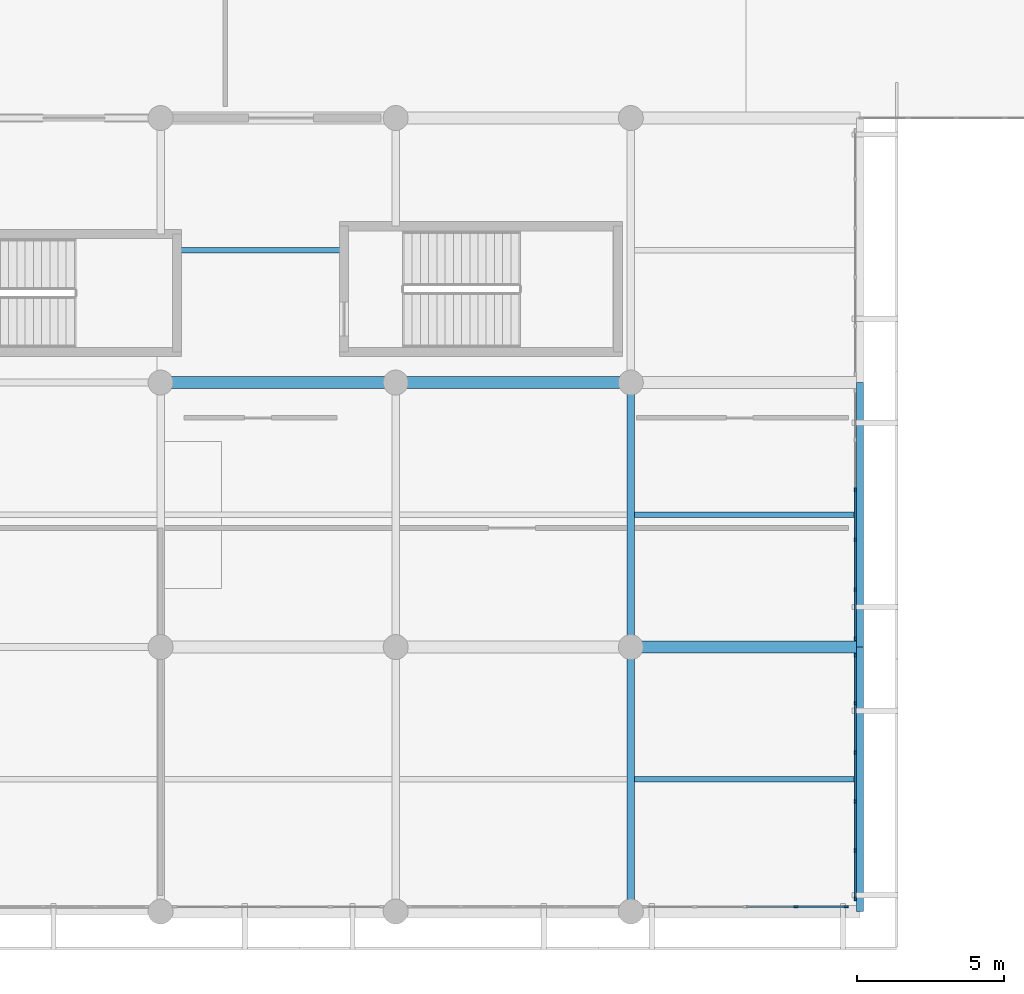
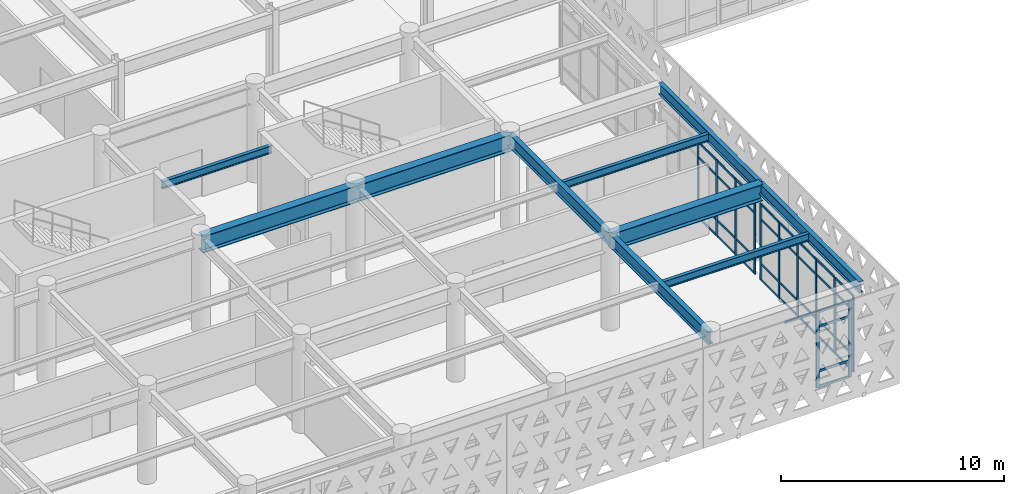
# One storey, part 24 of 84: 49 members, 9 beams, 3 elements without a shape of their own.
"""IFC4 building model written with IfcOpenShell, lengths in metres."""

from ifc_helpers import new_model, si_unit, direction, frame, origin, origin_2d, place, context, subcontext, project, spatial, rectangle, i_section, extrude, material, layer, layer_set, material_profile, profile_set, type_object, element, aggregate, save


model = new_model("IFC4")

# Units and contexts
model_context = context("Model", 3, precision=1e-05, world=origin(), true_north=direction((0.0, 1.0)))
body_context = subcontext(model_context, "Body", "Model", "MODEL_VIEW")
ifc_project = project(units=[si_unit("LENGTHUNIT", "METRE"), si_unit("AREAUNIT", "SQUARE_METRE"), si_unit("VOLUMEUNIT", "CUBIC_METRE"), si_unit("PLANEANGLEUNIT", "RADIAN"), si_unit("MASSUNIT", "GRAM", prefix="KILO")], contexts=[model_context])

# Site, building, storey
site_placement = place(None, origin())
site = spatial("IfcSite", under=ifc_project, at=site_placement, CompositionType="ELEMENT")
building_placement = place(site_placement, origin())
building = spatial("IfcBuilding", under=site, at=building_placement, Name="Tlacozan Convention Centre", CompositionType="ELEMENT")
storey_placement = place(building_placement, frame((0.0, 0.0, 6.0)))
storey = spatial("IfcBuildingStorey", under=building, at=storey_placement, Name="L01", CompositionType="ELEMENT", Elevation=6.0)

# Beam
ifc_material_1 = material(Name="Steel ASTM A992 Grade 50", Category="steel")
ifc_material_profile_1 = material_profile(ifc_material_1, i_section(OverallWidth=0.41796875, OverallDepth=0.912109375, WebThickness=0.019287109375, FlangeThickness=0.031982421875, FilletRadius=0.02001953125, at=origin_2d()), Name="IR 914x342.0")
ifc_profile_set_1 = profile_set([ifc_material_profile_1], Name="Steel ASTM A992 Grade 50")
beam_type_1 = type_object("IfcBeamType", Name="Cantilever Girder IR 914x342", PredefinedType="BEAM", material=ifc_profile_set_1)
beam_1_placement = place(storey_placement, frame((112.0, 9.0, 4.68408203125), z_axis=(1.0, 0.0, 0.0), x_axis=(0.0, 1.0, 0.0)))
element("IfcBeam", 1, at=beam_1_placement, inside=storey, type_object=beam_type_1, Name="L01 Cantilever Girder IR 914x342 318", PredefinedType="BEAM", context=body_context, shape_type="SweptSolid", body=[
    extrude(i_section(OverallWidth=0.41796875, OverallDepth=0.912109375, WebThickness=0.019287109375, FlangeThickness=0.031982421875, FilletRadius=0.02001953125, at=origin_2d()), origin(), (0.0, 0.0, 1.0), 7.800048828125),
])

# Curtain wall, members
ifc_material_2 = material(Name="Dark Bronze Anodised Aluminium", Category="aluminium")
ifc_layer_1 = layer(ifc_material_2, 0.159912109375)
ifc_layer_set_1 = layer_set([ifc_layer_1], Name="Dark Bronze Anodised Aluminium")
curtain_wall_type_1 = type_object("IfcCurtainWallType", Name="Unitised Congress Gable End CW06", PredefinedType="NOTDEFINED", material=ifc_layer_set_1)
curtain_wall_1_placement = place(storey_placement, origin())
curtain_wall_1 = element("IfcCurtainWall", 2, at=curtain_wall_1_placement, inside=storey, type_object=curtain_wall_type_1, Name="L01 CW-06 Run 73", PredefinedType="NOTDEFINED")
ifc_material_profile_2 = material_profile(ifc_material_2, rectangle(XDim=0.06005859375, YDim=0.139892578125, at=origin_2d()), Name="ALU 60x140")
ifc_profile_set_2 = profile_set([ifc_material_profile_2], Name="Dark Bronze Anodised Aluminium")
member_type_1 = type_object("IfcMemberType", Name="Curtain Wall Light Mullion 60x140", PredefinedType="MULLION", material=ifc_profile_set_2)
member_1_placement = place(storey_placement, frame((119.639892578125, 0.43994140625, 0.0), z_axis=(0.0, 0.0, 1.0), x_axis=(-1.0, 0.0, 0.0)))
member_1 = element("IfcMember", 3, at=member_1_placement, type_object=member_type_1, Name="CW-06 mullion 1", PredefinedType="MULLION", context=body_context, shape_type="SweptSolid", body=[
    extrude(rectangle(XDim=0.06005859375, YDim=0.139892578125, at=origin_2d()), origin(), (0.0, 0.0, 1.0), 4.179931640625),
])
member_2_placement = place(storey_placement, frame((119.639892578125, 2.077880859375, 0.0), z_axis=(0.0, 0.0, 1.0), x_axis=(-1.0, 0.0, 0.0)))
member_2 = element("IfcMember", 4, at=member_2_placement, type_object=member_type_1, Name="CW-06 mullion 2", PredefinedType="MULLION", context=body_context, shape_type="SweptSolid", body=[
    extrude(rectangle(XDim=0.06005859375, YDim=0.139892578125, at=origin_2d()), origin(), (0.0, 0.0, 1.0), 4.179931640625),
])
member_3_placement = place(storey_placement, frame((119.639892578125, 3.74609375, 0.0), z_axis=(0.0, 0.0, 1.0), x_axis=(-1.0, 0.0, 0.0)))
member_3 = element("IfcMember", 5, at=member_3_placement, type_object=member_type_1, Name="CW-06 mullion 3", PredefinedType="MULLION", context=body_context, shape_type="SweptSolid", body=[
    extrude(rectangle(XDim=0.06005859375, YDim=0.139892578125, at=origin_2d()), origin(), (0.0, 0.0, 1.0), 4.179931640625),
])
member_4_placement = place(storey_placement, frame((119.639892578125, 5.4140625, 0.0), z_axis=(0.0, 0.0, 1.0), x_axis=(-1.0, 0.0, 0.0)))
member_4 = element("IfcMember", 6, at=member_4_placement, type_object=member_type_1, Name="CW-06 mullion 4", PredefinedType="MULLION", context=body_context, shape_type="SweptSolid", body=[
    extrude(rectangle(XDim=0.06005859375, YDim=0.139892578125, at=origin_2d()), origin(), (0.0, 0.0, 1.0), 4.179931640625),
])
member_5_placement = place(storey_placement, frame((119.639892578125, 7.08203125, 0.0), z_axis=(0.0, 0.0, 1.0), x_axis=(-1.0, 0.0, 0.0)))
member_5 = element("IfcMember", 7, at=member_5_placement, type_object=member_type_1, Name="CW-06 mullion 5", PredefinedType="MULLION", context=body_context, shape_type="SweptSolid", body=[
    extrude(rectangle(XDim=0.06005859375, YDim=0.139892578125, at=origin_2d()), origin(), (0.0, 0.0, 1.0), 4.179931640625),
])
member_6_placement = place(storey_placement, frame((119.639892578125, 8.719970703125, 0.0), z_axis=(0.0, 0.0, 1.0), x_axis=(-1.0, 0.0, 0.0)))
member_6 = element("IfcMember", 8, at=member_6_placement, type_object=member_type_1, Name="CW-06 mullion 6", PredefinedType="MULLION", context=body_context, shape_type="SweptSolid", body=[
    extrude(rectangle(XDim=0.06005859375, YDim=0.139892578125, at=origin_2d()), origin(), (0.0, 0.0, 1.0), 4.179931640625),
])

curtain_wall_2_placement = place(storey_placement, origin())
curtain_wall_2 = element("IfcCurtainWall", 9, at=curtain_wall_2_placement, inside=storey, type_object=curtain_wall_type_1, Name="L01 CW-06 Run 75", PredefinedType="NOTDEFINED")
member_7_placement = place(storey_placement, frame((119.639892578125, 9.280029296875, 0.0), z_axis=(0.0, 0.0, 1.0), x_axis=(-1.0, 0.0, 0.0)))
member_7 = element("IfcMember", 10, at=member_7_placement, type_object=member_type_1, Name="CW-06 mullion 1", PredefinedType="MULLION", context=body_context, shape_type="SweptSolid", body=[
    extrude(rectangle(XDim=0.06005859375, YDim=0.139892578125, at=origin_2d()), origin(), (0.0, 0.0, 1.0), 4.179931640625),
])
member_8_placement = place(storey_placement, frame((119.639892578125, 10.949951171875, 0.0), z_axis=(0.0, 0.0, 1.0), x_axis=(-1.0, 0.0, 0.0)))
member_8 = element("IfcMember", 11, at=member_8_placement, type_object=member_type_1, Name="CW-06 mullion 2", PredefinedType="MULLION", context=body_context, shape_type="SweptSolid", body=[
    extrude(rectangle(XDim=0.06005859375, YDim=0.139892578125, at=origin_2d()), origin(), (0.0, 0.0, 1.0), 4.179931640625),
])
member_9_placement = place(storey_placement, frame((119.639892578125, 12.64990234375, 0.0), z_axis=(0.0, 0.0, 1.0), x_axis=(-1.0, 0.0, 0.0)))
member_9 = element("IfcMember", 12, at=member_9_placement, type_object=member_type_1, Name="CW-06 mullion 3", PredefinedType="MULLION", context=body_context, shape_type="SweptSolid", body=[
    extrude(rectangle(XDim=0.06005859375, YDim=0.139892578125, at=origin_2d()), origin(), (0.0, 0.0, 1.0), 4.179931640625),
])
member_10_placement = place(storey_placement, frame((119.639892578125, 14.35009765625, 0.0), z_axis=(0.0, 0.0, 1.0), x_axis=(-1.0, 0.0, 0.0)))
member_10 = element("IfcMember", 13, at=member_10_placement, type_object=member_type_1, Name="CW-06 mullion 4", PredefinedType="MULLION", context=body_context, shape_type="SweptSolid", body=[
    extrude(rectangle(XDim=0.06005859375, YDim=0.139892578125, at=origin_2d()), origin(), (0.0, 0.0, 1.0), 4.179931640625),
])

# Member
ifc_material_profile_3 = material_profile(ifc_material_2, rectangle(XDim=0.06005859375, YDim=0.110107421875, at=origin_2d()), Name="ALU 60x110")
ifc_profile_set_3 = profile_set([ifc_material_profile_3], Name="Dark Bronze Anodised Aluminium")
member_type_2 = type_object("IfcMemberType", Name="Curtain Wall Light Transom 60x110", PredefinedType="USERDEFINED", material=ifc_profile_set_3)
member_11_placement = place(storey_placement, frame((119.639892578125, 0.469970703125, 0.030029296875), z_axis=(0.0, 1.0, 0.0), x_axis=(-1.0, 0.0, 0.0)))
member_11 = element("IfcMember", 14, at=member_11_placement, type_object=member_type_2, Name="CW-06 transom 1.1", ObjectType="TRANSOM", PredefinedType="USERDEFINED", context=body_context, shape_type="SweptSolid", body=[
    extrude(rectangle(XDim=0.06005859375, YDim=0.110107421875, at=origin_2d()), origin(), (0.0, 0.0, 1.0), 1.578125),
])

member_12_placement = place(storey_placement, frame((119.639892578125, 0.469970703125, 0.89990234375), z_axis=(0.0, 1.0, 0.0), x_axis=(-1.0, 0.0, 0.0)))
member_12 = element("IfcMember", 15, at=member_12_placement, type_object=member_type_2, Name="CW-06 transom 1.2", ObjectType="TRANSOM", PredefinedType="USERDEFINED", context=body_context, shape_type="SweptSolid", body=[
    extrude(rectangle(XDim=0.06005859375, YDim=0.110107421875, at=origin_2d()), origin(), (0.0, 0.0, 1.0), 1.578125),
])

member_13_placement = place(storey_placement, frame((119.639892578125, 0.469970703125, 3.330078125), z_axis=(0.0, 1.0, 0.0), x_axis=(-1.0, 0.0, 0.0)))
member_13 = element("IfcMember", 16, at=member_13_placement, type_object=member_type_2, Name="CW-06 transom 1.3", ObjectType="TRANSOM", PredefinedType="USERDEFINED", context=body_context, shape_type="SweptSolid", body=[
    extrude(rectangle(XDim=0.06005859375, YDim=0.110107421875, at=origin_2d()), origin(), (0.0, 0.0, 1.0), 1.578125),
])

member_14_placement = place(storey_placement, frame((119.639892578125, 0.469970703125, 4.14990234375), z_axis=(0.0, 1.0, 0.0), x_axis=(-1.0, 0.0, 0.0)))
member_14 = element("IfcMember", 17, at=member_14_placement, type_object=member_type_2, Name="CW-06 transom 1.4", ObjectType="TRANSOM", PredefinedType="USERDEFINED", context=body_context, shape_type="SweptSolid", body=[
    extrude(rectangle(XDim=0.06005859375, YDim=0.110107421875, at=origin_2d()), origin(), (0.0, 0.0, 1.0), 1.578125),
])

member_15_placement = place(storey_placement, frame((119.639892578125, 2.10791015625, 0.030029296875), z_axis=(0.0, 1.0, 0.0), x_axis=(-1.0, 0.0, 0.0)))
member_15 = element("IfcMember", 18, at=member_15_placement, type_object=member_type_2, Name="CW-06 transom 2.1", ObjectType="TRANSOM", PredefinedType="USERDEFINED", context=body_context, shape_type="SweptSolid", body=[
    extrude(rectangle(XDim=0.06005859375, YDim=0.110107421875, at=origin_2d()), origin(), (0.0, 0.0, 1.0), 1.608154296875),
])

member_16_placement = place(storey_placement, frame((119.639892578125, 2.10791015625, 0.89990234375), z_axis=(0.0, 1.0, 0.0), x_axis=(-1.0, 0.0, 0.0)))
member_16 = element("IfcMember", 19, at=member_16_placement, type_object=member_type_2, Name="CW-06 transom 2.2", ObjectType="TRANSOM", PredefinedType="USERDEFINED", context=body_context, shape_type="SweptSolid", body=[
    extrude(rectangle(XDim=0.06005859375, YDim=0.110107421875, at=origin_2d()), origin(), (0.0, 0.0, 1.0), 1.608154296875),
])

member_17_placement = place(storey_placement, frame((119.639892578125, 2.10791015625, 3.330078125), z_axis=(0.0, 1.0, 0.0), x_axis=(-1.0, 0.0, 0.0)))
member_17 = element("IfcMember", 20, at=member_17_placement, type_object=member_type_2, Name="CW-06 transom 2.3", ObjectType="TRANSOM", PredefinedType="USERDEFINED", context=body_context, shape_type="SweptSolid", body=[
    extrude(rectangle(XDim=0.06005859375, YDim=0.110107421875, at=origin_2d()), origin(), (0.0, 0.0, 1.0), 1.608154296875),
])

member_18_placement = place(storey_placement, frame((119.639892578125, 2.10791015625, 4.14990234375), z_axis=(0.0, 1.0, 0.0), x_axis=(-1.0, 0.0, 0.0)))
member_18 = element("IfcMember", 21, at=member_18_placement, type_object=member_type_2, Name="CW-06 transom 2.4", ObjectType="TRANSOM", PredefinedType="USERDEFINED", context=body_context, shape_type="SweptSolid", body=[
    extrude(rectangle(XDim=0.06005859375, YDim=0.110107421875, at=origin_2d()), origin(), (0.0, 0.0, 1.0), 1.608154296875),
])

member_19_placement = place(storey_placement, frame((119.639892578125, 3.77587890625, 0.030029296875), z_axis=(0.0, 1.0, 0.0), x_axis=(-1.0, 0.0, 0.0)))
member_19 = element("IfcMember", 22, at=member_19_placement, type_object=member_type_2, Name="CW-06 transom 3.1", ObjectType="TRANSOM", PredefinedType="USERDEFINED", context=body_context, shape_type="SweptSolid", body=[
    extrude(rectangle(XDim=0.06005859375, YDim=0.110107421875, at=origin_2d()), origin(), (0.0, 0.0, 1.0), 1.608154296875),
])

member_20_placement = place(storey_placement, frame((119.639892578125, 3.77587890625, 0.89990234375), z_axis=(0.0, 1.0, 0.0), x_axis=(-1.0, 0.0, 0.0)))
member_20 = element("IfcMember", 23, at=member_20_placement, type_object=member_type_2, Name="CW-06 transom 3.2", ObjectType="TRANSOM", PredefinedType="USERDEFINED", context=body_context, shape_type="SweptSolid", body=[
    extrude(rectangle(XDim=0.06005859375, YDim=0.110107421875, at=origin_2d()), origin(), (0.0, 0.0, 1.0), 1.608154296875),
])

member_21_placement = place(storey_placement, frame((119.639892578125, 3.77587890625, 3.330078125), z_axis=(0.0, 1.0, 0.0), x_axis=(-1.0, 0.0, 0.0)))
member_21 = element("IfcMember", 24, at=member_21_placement, type_object=member_type_2, Name="CW-06 transom 3.3", ObjectType="TRANSOM", PredefinedType="USERDEFINED", context=body_context, shape_type="SweptSolid", body=[
    extrude(rectangle(XDim=0.06005859375, YDim=0.110107421875, at=origin_2d()), origin(), (0.0, 0.0, 1.0), 1.608154296875),
])

member_22_placement = place(storey_placement, frame((119.639892578125, 3.77587890625, 4.14990234375), z_axis=(0.0, 1.0, 0.0), x_axis=(-1.0, 0.0, 0.0)))
member_22 = element("IfcMember", 25, at=member_22_placement, type_object=member_type_2, Name="CW-06 transom 3.4", ObjectType="TRANSOM", PredefinedType="USERDEFINED", context=body_context, shape_type="SweptSolid", body=[
    extrude(rectangle(XDim=0.06005859375, YDim=0.110107421875, at=origin_2d()), origin(), (0.0, 0.0, 1.0), 1.608154296875),
])

member_23_placement = place(storey_placement, frame((119.639892578125, 5.444091796875, 0.030029296875), z_axis=(0.0, 1.0, 0.0), x_axis=(-1.0, 0.0, 0.0)))
member_23 = element("IfcMember", 26, at=member_23_placement, type_object=member_type_2, Name="CW-06 transom 4.1", ObjectType="TRANSOM", PredefinedType="USERDEFINED", context=body_context, shape_type="SweptSolid", body=[
    extrude(rectangle(XDim=0.06005859375, YDim=0.110107421875, at=origin_2d()), origin(), (0.0, 0.0, 1.0), 1.60791015625),
])

member_24_placement = place(storey_placement, frame((119.639892578125, 5.444091796875, 0.89990234375), z_axis=(0.0, 1.0, 0.0), x_axis=(-1.0, 0.0, 0.0)))
member_24 = element("IfcMember", 27, at=member_24_placement, type_object=member_type_2, Name="CW-06 transom 4.2", ObjectType="TRANSOM", PredefinedType="USERDEFINED", context=body_context, shape_type="SweptSolid", body=[
    extrude(rectangle(XDim=0.06005859375, YDim=0.110107421875, at=origin_2d()), origin(), (0.0, 0.0, 1.0), 1.60791015625),
])

member_25_placement = place(storey_placement, frame((119.639892578125, 5.444091796875, 3.330078125), z_axis=(0.0, 1.0, 0.0), x_axis=(-1.0, 0.0, 0.0)))
member_25 = element("IfcMember", 28, at=member_25_placement, type_object=member_type_2, Name="CW-06 transom 4.3", ObjectType="TRANSOM", PredefinedType="USERDEFINED", context=body_context, shape_type="SweptSolid", body=[
    extrude(rectangle(XDim=0.06005859375, YDim=0.110107421875, at=origin_2d()), origin(), (0.0, 0.0, 1.0), 1.60791015625),
])

member_26_placement = place(storey_placement, frame((119.639892578125, 5.444091796875, 4.14990234375), z_axis=(0.0, 1.0, 0.0), x_axis=(-1.0, 0.0, 0.0)))
member_26 = element("IfcMember", 29, at=member_26_placement, type_object=member_type_2, Name="CW-06 transom 4.4", ObjectType="TRANSOM", PredefinedType="USERDEFINED", context=body_context, shape_type="SweptSolid", body=[
    extrude(rectangle(XDim=0.06005859375, YDim=0.110107421875, at=origin_2d()), origin(), (0.0, 0.0, 1.0), 1.60791015625),
])

member_27_placement = place(storey_placement, frame((119.639892578125, 7.112060546875, 0.030029296875), z_axis=(0.0, 1.0, 0.0), x_axis=(-1.0, 0.0, 0.0)))
member_27 = element("IfcMember", 30, at=member_27_placement, type_object=member_type_2, Name="CW-06 transom 5.1", ObjectType="TRANSOM", PredefinedType="USERDEFINED", context=body_context, shape_type="SweptSolid", body=[
    extrude(rectangle(XDim=0.06005859375, YDim=0.110107421875, at=origin_2d()), origin(), (0.0, 0.0, 1.0), 1.577880859375),
])

member_28_placement = place(storey_placement, frame((119.639892578125, 7.112060546875, 0.89990234375), z_axis=(0.0, 1.0, 0.0), x_axis=(-1.0, 0.0, 0.0)))
member_28 = element("IfcMember", 31, at=member_28_placement, type_object=member_type_2, Name="CW-06 transom 5.2", ObjectType="TRANSOM", PredefinedType="USERDEFINED", context=body_context, shape_type="SweptSolid", body=[
    extrude(rectangle(XDim=0.06005859375, YDim=0.110107421875, at=origin_2d()), origin(), (0.0, 0.0, 1.0), 1.577880859375),
])

member_29_placement = place(storey_placement, frame((119.639892578125, 7.112060546875, 3.330078125), z_axis=(0.0, 1.0, 0.0), x_axis=(-1.0, 0.0, 0.0)))
member_29 = element("IfcMember", 32, at=member_29_placement, type_object=member_type_2, Name="CW-06 transom 5.3", ObjectType="TRANSOM", PredefinedType="USERDEFINED", context=body_context, shape_type="SweptSolid", body=[
    extrude(rectangle(XDim=0.06005859375, YDim=0.110107421875, at=origin_2d()), origin(), (0.0, 0.0, 1.0), 1.577880859375),
])

member_30_placement = place(storey_placement, frame((119.639892578125, 7.112060546875, 4.14990234375), z_axis=(0.0, 1.0, 0.0), x_axis=(-1.0, 0.0, 0.0)))
member_30 = element("IfcMember", 33, at=member_30_placement, type_object=member_type_2, Name="CW-06 transom 5.4", ObjectType="TRANSOM", PredefinedType="USERDEFINED", context=body_context, shape_type="SweptSolid", body=[
    extrude(rectangle(XDim=0.06005859375, YDim=0.110107421875, at=origin_2d()), origin(), (0.0, 0.0, 1.0), 1.577880859375),
])

aggregate(curtain_wall_1, [member_1, member_2, member_3, member_4, member_5, member_6, member_11, member_12, member_13, member_14, member_15, member_16, member_17, member_18, member_19, member_20, member_21, member_22, member_23, member_24, member_25, member_26, member_27, member_28, member_29, member_30])

member_31_placement = place(storey_placement, frame((119.639892578125, 9.31005859375, 0.030029296875), z_axis=(0.0, 1.0, 0.0), x_axis=(-1.0, 0.0, 0.0)))
member_31 = element("IfcMember", 34, at=member_31_placement, type_object=member_type_2, Name="CW-06 transom 1.1", ObjectType="TRANSOM", PredefinedType="USERDEFINED", context=body_context, shape_type="SweptSolid", body=[
    extrude(rectangle(XDim=0.06005859375, YDim=0.110107421875, at=origin_2d()), origin(), (0.0, 0.0, 1.0), 1.60986328125),
])

member_32_placement = place(storey_placement, frame((119.639892578125, 9.31005859375, 0.89990234375), z_axis=(0.0, 1.0, 0.0), x_axis=(-1.0, 0.0, 0.0)))
member_32 = element("IfcMember", 35, at=member_32_placement, type_object=member_type_2, Name="CW-06 transom 1.2", ObjectType="TRANSOM", PredefinedType="USERDEFINED", context=body_context, shape_type="SweptSolid", body=[
    extrude(rectangle(XDim=0.06005859375, YDim=0.110107421875, at=origin_2d()), origin(), (0.0, 0.0, 1.0), 1.60986328125),
])

member_33_placement = place(storey_placement, frame((119.639892578125, 9.31005859375, 3.330078125), z_axis=(0.0, 1.0, 0.0), x_axis=(-1.0, 0.0, 0.0)))
member_33 = element("IfcMember", 36, at=member_33_placement, type_object=member_type_2, Name="CW-06 transom 1.3", ObjectType="TRANSOM", PredefinedType="USERDEFINED", context=body_context, shape_type="SweptSolid", body=[
    extrude(rectangle(XDim=0.06005859375, YDim=0.110107421875, at=origin_2d()), origin(), (0.0, 0.0, 1.0), 1.60986328125),
])

member_34_placement = place(storey_placement, frame((119.639892578125, 9.31005859375, 4.14990234375), z_axis=(0.0, 1.0, 0.0), x_axis=(-1.0, 0.0, 0.0)))
member_34 = element("IfcMember", 37, at=member_34_placement, type_object=member_type_2, Name="CW-06 transom 1.4", ObjectType="TRANSOM", PredefinedType="USERDEFINED", context=body_context, shape_type="SweptSolid", body=[
    extrude(rectangle(XDim=0.06005859375, YDim=0.110107421875, at=origin_2d()), origin(), (0.0, 0.0, 1.0), 1.60986328125),
])

member_35_placement = place(storey_placement, frame((119.639892578125, 10.97998046875, 0.030029296875), z_axis=(0.0, 1.0, 0.0), x_axis=(-1.0, 0.0, 0.0)))
member_35 = element("IfcMember", 38, at=member_35_placement, type_object=member_type_2, Name="CW-06 transom 2.1", ObjectType="TRANSOM", PredefinedType="USERDEFINED", context=body_context, shape_type="SweptSolid", body=[
    extrude(rectangle(XDim=0.06005859375, YDim=0.110107421875, at=origin_2d()), origin(), (0.0, 0.0, 1.0), 1.64013671875),
])

member_36_placement = place(storey_placement, frame((119.639892578125, 10.97998046875, 0.89990234375), z_axis=(0.0, 1.0, 0.0), x_axis=(-1.0, 0.0, 0.0)))
member_36 = element("IfcMember", 39, at=member_36_placement, type_object=member_type_2, Name="CW-06 transom 2.2", ObjectType="TRANSOM", PredefinedType="USERDEFINED", context=body_context, shape_type="SweptSolid", body=[
    extrude(rectangle(XDim=0.06005859375, YDim=0.110107421875, at=origin_2d()), origin(), (0.0, 0.0, 1.0), 1.64013671875),
])

member_37_placement = place(storey_placement, frame((119.639892578125, 10.97998046875, 3.330078125), z_axis=(0.0, 1.0, 0.0), x_axis=(-1.0, 0.0, 0.0)))
member_37 = element("IfcMember", 40, at=member_37_placement, type_object=member_type_2, Name="CW-06 transom 2.3", ObjectType="TRANSOM", PredefinedType="USERDEFINED", context=body_context, shape_type="SweptSolid", body=[
    extrude(rectangle(XDim=0.06005859375, YDim=0.110107421875, at=origin_2d()), origin(), (0.0, 0.0, 1.0), 1.64013671875),
])

member_38_placement = place(storey_placement, frame((119.639892578125, 10.97998046875, 4.14990234375), z_axis=(0.0, 1.0, 0.0), x_axis=(-1.0, 0.0, 0.0)))
member_38 = element("IfcMember", 41, at=member_38_placement, type_object=member_type_2, Name="CW-06 transom 2.4", ObjectType="TRANSOM", PredefinedType="USERDEFINED", context=body_context, shape_type="SweptSolid", body=[
    extrude(rectangle(XDim=0.06005859375, YDim=0.110107421875, at=origin_2d()), origin(), (0.0, 0.0, 1.0), 1.64013671875),
])

member_39_placement = place(storey_placement, frame((119.639892578125, 12.679931640625, 0.030029296875), z_axis=(0.0, 1.0, 0.0), x_axis=(-1.0, 0.0, 0.0)))
member_39 = element("IfcMember", 42, at=member_39_placement, type_object=member_type_2, Name="CW-06 transom 3.1", ObjectType="TRANSOM", PredefinedType="USERDEFINED", context=body_context, shape_type="SweptSolid", body=[
    extrude(rectangle(XDim=0.06005859375, YDim=0.110107421875, at=origin_2d()), origin(), (0.0, 0.0, 1.0), 1.64013671875),
])

member_40_placement = place(storey_placement, frame((119.639892578125, 12.679931640625, 0.89990234375), z_axis=(0.0, 1.0, 0.0), x_axis=(-1.0, 0.0, 0.0)))
member_40 = element("IfcMember", 43, at=member_40_placement, type_object=member_type_2, Name="CW-06 transom 3.2", ObjectType="TRANSOM", PredefinedType="USERDEFINED", context=body_context, shape_type="SweptSolid", body=[
    extrude(rectangle(XDim=0.06005859375, YDim=0.110107421875, at=origin_2d()), origin(), (0.0, 0.0, 1.0), 1.64013671875),
])

member_41_placement = place(storey_placement, frame((119.639892578125, 12.679931640625, 3.330078125), z_axis=(0.0, 1.0, 0.0), x_axis=(-1.0, 0.0, 0.0)))
member_41 = element("IfcMember", 44, at=member_41_placement, type_object=member_type_2, Name="CW-06 transom 3.3", ObjectType="TRANSOM", PredefinedType="USERDEFINED", context=body_context, shape_type="SweptSolid", body=[
    extrude(rectangle(XDim=0.06005859375, YDim=0.110107421875, at=origin_2d()), origin(), (0.0, 0.0, 1.0), 1.64013671875),
])

member_42_placement = place(storey_placement, frame((119.639892578125, 12.679931640625, 4.14990234375), z_axis=(0.0, 1.0, 0.0), x_axis=(-1.0, 0.0, 0.0)))
member_42 = element("IfcMember", 45, at=member_42_placement, type_object=member_type_2, Name="CW-06 transom 3.4", ObjectType="TRANSOM", PredefinedType="USERDEFINED", context=body_context, shape_type="SweptSolid", body=[
    extrude(rectangle(XDim=0.06005859375, YDim=0.110107421875, at=origin_2d()), origin(), (0.0, 0.0, 1.0), 1.64013671875),
])

aggregate(curtain_wall_2, [member_7, member_8, member_9, member_10, member_31, member_32, member_33, member_34, member_35, member_36, member_37, member_38, member_39, member_40, member_41, member_42])

# Curtain wall, members
ifc_layer_2 = layer(ifc_material_2, 0.159912109375)
ifc_layer_set_2 = layer_set([ifc_layer_2], Name="Dark Bronze Anodised Aluminium")
curtain_wall_type_2 = type_object("IfcCurtainWallType", Name="Unitised Congress L01 South CW02", PredefinedType="NOTDEFINED", material=ifc_layer_set_2)
curtain_wall_3_placement = place(storey_placement, origin())
curtain_wall_3 = element("IfcCurtainWall", 46, at=curtain_wall_3_placement, inside=storey, type_object=curtain_wall_type_2, Name="L01 CW-02 Run 69", PredefinedType="NOTDEFINED")
ifc_material_profile_4 = material_profile(ifc_material_2, rectangle(XDim=0.06494140625, YDim=0.159912109375, at=origin_2d()), Name="ALU 65x160")
ifc_profile_set_4 = profile_set([ifc_material_profile_4], Name="Dark Bronze Anodised Aluminium")
member_type_3 = type_object("IfcMemberType", Name="Curtain Wall Mullion 65x160", PredefinedType="MULLION", material=ifc_profile_set_4)
member_43_placement = place(storey_placement, frame((117.625, 0.159912109375, 0.0), z_axis=(0.0, 0.0, 1.0), x_axis=(0.0, 1.0, 0.0)))
member_43 = element("IfcMember", 47, at=member_43_placement, type_object=member_type_3, Name="CW-02 mullion 4", PredefinedType="MULLION", context=body_context, shape_type="SweptSolid", body=[
    extrude(rectangle(XDim=0.06494140625, YDim=0.159912109375, at=origin_2d()), origin(), (0.0, 0.0, 1.0), 4.179931640625),
])
member_44_placement = place(storey_placement, frame((119.3173828125, 0.159912109375, 0.0), z_axis=(0.0, 0.0, 1.0), x_axis=(0.0, 1.0, 0.0)))
member_44 = element("IfcMember", 48, at=member_44_placement, type_object=member_type_3, Name="CW-02 mullion 5", PredefinedType="MULLION", context=body_context, shape_type="SweptSolid", body=[
    extrude(rectangle(XDim=0.06494140625, YDim=0.159912109375, at=origin_2d()), origin(), (0.0, 0.0, 1.0), 4.179931640625),
])
ifc_material_profile_5 = material_profile(ifc_material_2, rectangle(XDim=0.06494140625, YDim=0.125, at=origin_2d()), Name="ALU 65x125")
ifc_profile_set_5 = profile_set([ifc_material_profile_5], Name="Dark Bronze Anodised Aluminium")
member_type_4 = type_object("IfcMemberType", Name="Curtain Wall Transom 65x125", PredefinedType="USERDEFINED", material=ifc_profile_set_5)
member_45_placement = place(storey_placement, frame((115.9326171875, 0.159912109375, 4.1474609375), z_axis=(1.0, 0.0, 0.0), x_axis=(0.0, 1.0, 0.0)))
member_45 = element("IfcMember", 49, at=member_45_placement, type_object=member_type_4, Name="CW-02 transom 3.4", ObjectType="TRANSOM", PredefinedType="USERDEFINED", context=body_context, shape_type="SweptSolid", body=[
    extrude(rectangle(XDim=0.06494140625, YDim=0.125, at=origin_2d()), origin(), (0.0, 0.0, 1.0), 1.659912109375),
])
member_46_placement = place(storey_placement, frame((117.657470703125, 0.159912109375, 0.032470703125), z_axis=(1.0, 0.0, 0.0), x_axis=(0.0, 1.0, 0.0)))
member_46 = element("IfcMember", 50, at=member_46_placement, type_object=member_type_4, Name="CW-02 transom 4.1", ObjectType="TRANSOM", PredefinedType="USERDEFINED", context=body_context, shape_type="SweptSolid", body=[
    extrude(rectangle(XDim=0.06494140625, YDim=0.125, at=origin_2d()), origin(), (0.0, 0.0, 1.0), 1.62744140625),
])
member_47_placement = place(storey_placement, frame((117.657470703125, 0.159912109375, 0.89990234375), z_axis=(1.0, 0.0, 0.0), x_axis=(0.0, 1.0, 0.0)))
member_47 = element("IfcMember", 51, at=member_47_placement, type_object=member_type_4, Name="CW-02 transom 4.2", ObjectType="TRANSOM", PredefinedType="USERDEFINED", context=body_context, shape_type="SweptSolid", body=[
    extrude(rectangle(XDim=0.06494140625, YDim=0.125, at=origin_2d()), origin(), (0.0, 0.0, 1.0), 1.62744140625),
])
member_48_placement = place(storey_placement, frame((117.657470703125, 0.159912109375, 3.330078125), z_axis=(1.0, 0.0, 0.0), x_axis=(0.0, 1.0, 0.0)))
member_48 = element("IfcMember", 52, at=member_48_placement, type_object=member_type_4, Name="CW-02 transom 4.3", ObjectType="TRANSOM", PredefinedType="USERDEFINED", context=body_context, shape_type="SweptSolid", body=[
    extrude(rectangle(XDim=0.06494140625, YDim=0.125, at=origin_2d()), origin(), (0.0, 0.0, 1.0), 1.62744140625),
])
member_49_placement = place(storey_placement, frame((117.657470703125, 0.159912109375, 4.1474609375), z_axis=(1.0, 0.0, 0.0), x_axis=(0.0, 1.0, 0.0)))
member_49 = element("IfcMember", 53, at=member_49_placement, type_object=member_type_4, Name="CW-02 transom 4.4", ObjectType="TRANSOM", PredefinedType="USERDEFINED", context=body_context, shape_type="SweptSolid", body=[
    extrude(rectangle(XDim=0.06494140625, YDim=0.125, at=origin_2d()), origin(), (0.0, 0.0, 1.0), 1.62744140625),
])
aggregate(curtain_wall_3, [member_43, member_44, member_45, member_46, member_47, member_48, member_49])

# Beams
ifc_material_profile_6 = material_profile(ifc_material_1, i_section(OverallWidth=0.256103515625, OverallDepth=0.693115234375, WebThickness=0.014404296875, FlangeThickness=0.023681640625, FilletRadius=0.014892578125, at=origin_2d()), Name="IR 686x170.0")
ifc_profile_set_6 = profile_set([ifc_material_profile_6], Name="Steel ASTM A992 Grade 50")
beam_type_2 = type_object("IfcBeamType", Name="Girder Steel IR 686x170", PredefinedType="BEAM", material=ifc_profile_set_6)
for number, where, z_axis, x_axis, name in (
    (54, (112.0, 0.0, 4.79345703125), (0.0, 1.0, 0.0), (-1.0, 0.0, 0.0), "L01 Girder Steel IR 686x170 302"),
    (55, (112.0, 9.0, 4.79345703125), (0.0, 1.0, 0.0), (-1.0, 0.0, 0.0), "L01 Girder Steel IR 686x170 303"),
):
    element("IfcBeam", number, at=place(storey_placement, frame(where, z_axis=z_axis, x_axis=x_axis)), inside=storey, type_object=beam_type_2, Name=name, PredefinedType="BEAM", context=body_context, shape_type="SweptSolid", body=[
        extrude(i_section(OverallWidth=0.256103515625, OverallDepth=0.693115234375, WebThickness=0.014404296875, FlangeThickness=0.023681640625, FilletRadius=0.014892578125, at=origin_2d()), origin(), (0.0, 0.0, 1.0), 9.0),
    ])
ifc_material_profile_7 = material_profile(ifc_material_1, i_section(OverallWidth=0.22900390625, OverallDepth=0.612060546875, WebThickness=0.011962890625, FlangeThickness=0.01953125, FilletRadius=0.012939453125, at=origin_2d()), Name="IR 610x125.0")
ifc_profile_set_7 = profile_set([ifc_material_profile_7], Name="Steel ASTM A992 Grade 50")
beam_type_3 = type_object("IfcBeamType", Name="Perimeter Spandrel IR 610x125", PredefinedType="SPANDREL", material=ifc_profile_set_7)
for number, where, z_axis, x_axis, name in (
    (56, (119.800048828125, 0.0, 4.833984375), (0.0, 1.0, 0.0), (-1.0, 0.0, 0.0), "L01 Perimeter Spandrel IR 610x125 308"),
    (57, (119.800048828125, 9.0, 4.833984375), (0.0, 1.0, 0.0), (-1.0, 0.0, 0.0), "L01 Perimeter Spandrel IR 610x125 309"),
):
    element("IfcBeam", number, at=place(storey_placement, frame(where, z_axis=z_axis, x_axis=x_axis)), inside=storey, type_object=beam_type_3, Name=name, PredefinedType="SPANDREL", context=body_context, shape_type="SweptSolid", body=[
        extrude(i_section(OverallWidth=0.22900390625, OverallDepth=0.612060546875, WebThickness=0.011962890625, FlangeThickness=0.01953125, FilletRadius=0.012939453125, at=origin_2d()), origin(), (0.0, 0.0, 1.0), 9.0),
    ])
ifc_material_profile_8 = material_profile(ifc_material_1, i_section(OverallWidth=0.179931640625, OverallDepth=0.4130859375, WebThickness=0.009765625, FlangeThickness=0.01611328125, FilletRadius=0.010986328125, at=origin_2d()), Name="IR 406x74.4")
ifc_profile_set_8 = profile_set([ifc_material_profile_8], Name="Steel ASTM A992 Grade 50")
beam_type_4 = type_object("IfcBeamType", Name="Secondary Joist IR 406x74.4", PredefinedType="JOIST", material=ifc_profile_set_8)
beam_2_placement = place(storey_placement, frame((96.56005859375, 22.5, 4.93359375), z_axis=(1.0, 0.0, 0.0), x_axis=(0.0, 1.0, 0.0)))
element("IfcBeam", 58, at=beam_2_placement, inside=storey, type_object=beam_type_4, Name="L01 Secondary Joist IR 406x74.4 394", PredefinedType="JOIST", context=body_context, shape_type="SweptSolid", body=[
    extrude(i_section(OverallWidth=0.179931640625, OverallDepth=0.4130859375, WebThickness=0.009765625, FlangeThickness=0.01611328125, FilletRadius=0.010986328125, at=origin_2d()), origin(), (0.0, 0.0, 1.0), 5.679931640625),
])
for number, where, z_axis, x_axis, name in (
    (59, (112.1259765625, 4.5, 4.93359375), (1.0, 0.0, 0.0), (0.0, 1.0, 0.0), "L01 Secondary Joist IR 406x74.4 397"),
    (60, (112.1259765625, 13.5, 4.93359375), (1.0, 0.0, 0.0), (0.0, 1.0, 0.0), "L01 Secondary Joist IR 406x74.4 398"),
):
    element("IfcBeam", number, at=place(storey_placement, frame(where, z_axis=z_axis, x_axis=x_axis)), inside=storey, type_object=beam_type_4, Name=name, PredefinedType="JOIST", context=body_context, shape_type="SweptSolid", body=[
        extrude(i_section(OverallWidth=0.179931640625, OverallDepth=0.4130859375, WebThickness=0.009765625, FlangeThickness=0.01611328125, FilletRadius=0.010986328125, at=origin_2d()), origin(), (0.0, 0.0, 1.0), 7.548095703125),
    ])
ifc_material_profile_9 = material_profile(ifc_material_1, i_section(OverallWidth=0.41796875, OverallDepth=0.912109375, WebThickness=0.019287109375, FlangeThickness=0.031982421875, FilletRadius=0.02001953125, at=origin_2d()), Name="IR 914x342.0")
ifc_profile_set_9 = profile_set([ifc_material_profile_9], Name="Steel ASTM A992 Grade 50")
beam_type_5 = type_object("IfcBeamType", Name="Transfer Girder IR 914x342", PredefinedType="BEAM", material=ifc_profile_set_9)
beam_3_placement = place(storey_placement, frame((96.0, 18.0, 4.68408203125), z_axis=(1.0, 0.0, 0.0), x_axis=(0.0, 1.0, 0.0)))
element("IfcBeam", 61, at=beam_3_placement, inside=storey, type_object=beam_type_5, Name="L01 Transfer Girder IR 914x342 321", PredefinedType="BEAM", context=body_context, shape_type="SweptSolid", body=[
    extrude(i_section(OverallWidth=0.41796875, OverallDepth=0.912109375, WebThickness=0.019287109375, FlangeThickness=0.031982421875, FilletRadius=0.02001953125, at=origin_2d()), origin(), (0.0, 0.0, 1.0), 16.0),
])

save(model, "model.ifc")
